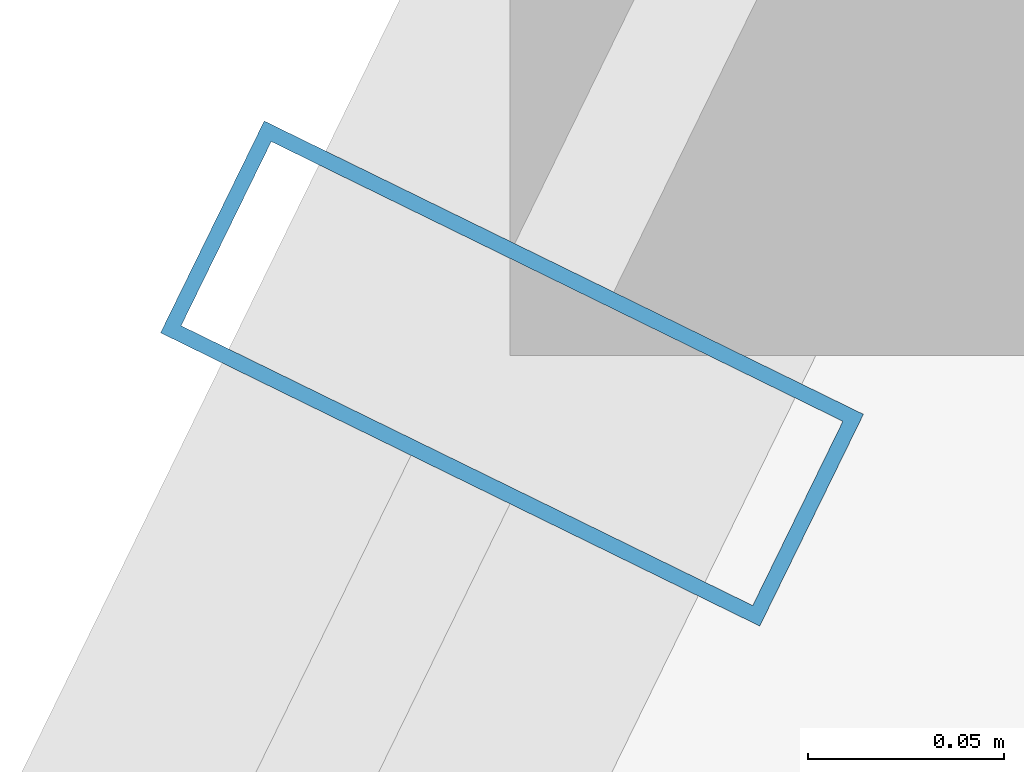
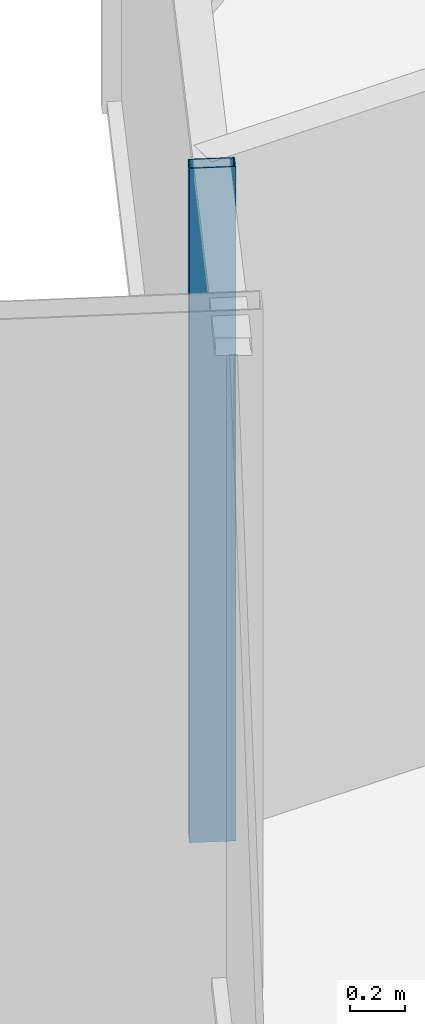
# One storey, part 21 of 37: 1 member, 1 element without a shape of its own.
"""IFC4 building model written with IfcOpenShell, lengths in metres."""

import ifcopenshell
import ifcopenshell.guid

model = None  # the IFC model being written
_history = None  # IfcOwnerHistory: only IFC2X3 demands one
_inside = {}  # id of a spatial element -> (the spatial element, [elements in it])
_under = {}  # id of a project, library or spatial element -> (it, [spatial elements below it])
_declared = {}  # id of a project -> (the project, [libraries it declares])
_typed = {}  # id of a type object -> (the type object, [elements of that type])
_made_of = {}  # id of a material, layer set ... -> (it, [elements and type objects made of it])


def new_model(schema):
    """Start an empty IFC model of exactly this schema.

    Asked for "IFC4X3", IfcOpenShell would pick the latest addendum, in which some entities
    have other attributes; the version numbers below select the first issue.
    IFC2X3 requires an IfcOwnerHistory on every rooted entity: one is made here for all.
    """
    global model, _history
    if schema == "IFC4X3":
        model = ifcopenshell.file(schema_version=(4, 3, 0, 0))
    else:
        model = ifcopenshell.file(schema=schema)
    _inside.clear()
    _under.clear()
    _declared.clear()
    _typed.clear()
    _made_of.clear()
    _history = None
    if model.schema == "IFC2X3":
        org = make("IfcOrganization", Name="unknown")
        user = make(
            "IfcPersonAndOrganization",
            ThePerson=make("IfcPerson", FamilyName="unknown"),
            TheOrganization=org,
        )
        app = make(
            "IfcApplication",
            ApplicationDeveloper=org,
            Version="unknown",
            ApplicationFullName="unknown",
            ApplicationIdentifier="unknown",
        )
        _history = make(
            "IfcOwnerHistory",
            OwningUser=user,
            OwningApplication=app,
            ChangeAction="ADDED",
            CreationDate=0,
        )
    return model


def make(cls, **values):
    """One entity of the class cls with the attributes given. An attribute that is None is left unset."""
    return model.create_entity(
        cls, **{name: value for name, value in values.items() if value is not None}
    )


def rooted(cls, **values):
    """An entity with a GlobalId (a new one), such as an element, a storey or a relation."""
    return make(cls, GlobalId=ifcopenshell.guid.new(), OwnerHistory=_history, **values)


def si_unit(unit_type, name, prefix=None):
    """IfcSIUnit, for example si_unit("LENGTHUNIT", "METRE", prefix="MILLI")."""
    return make("IfcSIUnit", UnitType=unit_type, Prefix=prefix, Name=name)


def assignment(units):
    """IfcUnitAssignment: the units of a project."""
    return None if units is None else make("IfcUnitAssignment", Units=units)


def point(xyz):
    """IfcCartesianPoint."""
    return None if xyz is None else make("IfcCartesianPoint", Coordinates=xyz)


def direction(xyz):
    """IfcDirection."""
    return None if xyz is None else make("IfcDirection", DirectionRatios=xyz)


def frame(location, z_axis=None, x_axis=None):
    """IfcAxis2Placement3D, a coordinate frame: its origin and axes. An axis left out is left unset."""
    return make(
        "IfcAxis2Placement3D",
        Location=point(location),
        Axis=direction(z_axis),
        RefDirection=direction(x_axis),
    )


def frame_2d(location, x_axis=None):
    """IfcAxis2Placement2D, a coordinate frame in the plane: its origin and x axis."""
    return make(
        "IfcAxis2Placement2D", Location=point(location), RefDirection=direction(x_axis)
    )


def origin():
    """The frame at (0, 0, 0) with its axes left unset."""
    return frame((0.0, 0.0, 0.0))


def origin_2d():
    """The frame at (0, 0) in the plane with its x axis left unset."""
    return frame_2d((0.0, 0.0))


def place(relative_to, where):
    """IfcLocalPlacement: puts the frame where relative to a parent placement (None: the world)."""
    return make(
        "IfcLocalPlacement", PlacementRelTo=relative_to, RelativePlacement=where
    )


def context(
    kind, dimensions, precision=None, world=None, true_north=None, identifier=None
):
    """IfcGeometricRepresentationContext, for example the 3D "Model" context."""
    return make(
        "IfcGeometricRepresentationContext",
        ContextIdentifier=identifier,
        ContextType=kind,
        CoordinateSpaceDimension=dimensions,
        Precision=precision,
        WorldCoordinateSystem=world,
        TrueNorth=true_north,
    )


def subcontext(parent, identifier, kind, view, scale=None):
    """IfcGeometricRepresentationSubContext, for example "Body" below "Model"."""
    return make(
        "IfcGeometricRepresentationSubContext",
        ContextIdentifier=identifier,
        ContextType=kind,
        ParentContext=parent,
        TargetScale=scale,
        TargetView=view,
    )


def project(units=None, contexts=None):
    """IfcProject with its units and contexts."""
    return rooted(
        "IfcProject",
        Name="project",
        RepresentationContexts=contexts,
        UnitsInContext=assignment(units),
    )


def spatial(cls, under=None, at=None, **own):
    """A site, building, storey or space (cls), placed at a placement, below another one or the project."""
    s = rooted(cls, ObjectPlacement=at, **own)
    if under is not None:
        _under.setdefault(under.id(), (under, []))[1].append(s)
    return s


def profile(cls, at=None, kind="AREA", **sizes):
    """A parametric profile (cls). Its sizes go by their IFC names, for example OverallWidth=200.0."""
    return make(cls, ProfileType=kind, Position=at, **sizes)


def hollow_rectangle(**sizes):
    """IfcRectangleHollowProfileDef."""
    return profile("IfcRectangleHollowProfileDef", **sizes)


def extrude(swept, where, along, depth):
    """IfcExtrudedAreaSolid: the profile swept, set in the frame where, extruded along a direction by depth."""
    return make(
        "IfcExtrudedAreaSolid",
        SweptArea=swept,
        Position=where,
        ExtrudedDirection=direction(along),
        Depth=depth,
    )


def shape(context_of_items, identifier, shape_type, items):
    """IfcShapeRepresentation: the items that make up one representation, for example the "Body"."""
    return make(
        "IfcShapeRepresentation",
        ContextOfItems=context_of_items,
        RepresentationIdentifier=identifier,
        RepresentationType=shape_type,
        Items=items,
    )


def source(mapping_origin, context_of_items, identifier, shape_type, items):
    """IfcRepresentationMap: a shape defined once, which mapped items show again and again."""
    return make(
        "IfcRepresentationMap",
        MappingOrigin=mapping_origin,
        MappedRepresentation=shape(context_of_items, identifier, shape_type, items),
    )


def transform(
    local_origin,
    x_axis=None,
    y_axis=None,
    z_axis=None,
    scale=None,
    scale2=None,
    scale3=None,
    uniform=True,
):
    """IfcCartesianTransformationOperator3D, or its non-uniform kind. x_axis, y_axis, z_axis: its Axis1, 2, 3."""
    if uniform:
        return make(
            "IfcCartesianTransformationOperator3D",
            Axis1=direction(x_axis),
            Axis2=direction(y_axis),
            LocalOrigin=point(local_origin),
            Scale=scale,
            Axis3=direction(z_axis),
        )
    return make(
        "IfcCartesianTransformationOperator3DnonUniform",
        Axis1=direction(x_axis),
        Axis2=direction(y_axis),
        LocalOrigin=point(local_origin),
        Scale=scale,
        Axis3=direction(z_axis),
        Scale2=scale2,
        Scale3=scale3,
    )


def mapped(mapping_source, mapping_target):
    """IfcMappedItem: shows the shape of a source again, moved by a transform."""
    return make(
        "IfcMappedItem", MappingSource=mapping_source, MappingTarget=mapping_target
    )


def material(Name=None, Category=None):
    """IfcMaterial."""
    return make("IfcMaterial", Name=Name, Category=Category)


def layer(
    of_material, thickness, ventilated=None, Name=None, Category=None, Priority=None
):
    """IfcMaterialLayer: one layer of a wall or slab, of a material (None: an air gap)."""
    return make(
        "IfcMaterialLayer",
        Material=of_material,
        LayerThickness=thickness,
        IsVentilated=ventilated,
        Name=Name,
        Category=Category,
        Priority=Priority,
    )


def layer_set(layers, Name=None):
    """IfcMaterialLayerSet."""
    return make("IfcMaterialLayerSet", MaterialLayers=layers, LayerSetName=Name)


def material_profile(
    of_material, cross_section, Name=None, Category=None, Priority=None
):
    """IfcMaterialProfile: a cross section and its material."""
    return make(
        "IfcMaterialProfile",
        Name=Name,
        Material=of_material,
        Profile=cross_section,
        Priority=Priority,
        Category=Category,
    )


def profile_set(profiles, Name=None, composite=None):
    """IfcMaterialProfileSet."""
    return make(
        "IfcMaterialProfileSet",
        Name=Name,
        MaterialProfiles=profiles,
        CompositeProfile=composite,
    )


def made_of(thing, what):
    """Note that an element or type object is made of a material, layer set ...; save() writes the relation."""
    if what is not None:
        _made_of.setdefault(what.id(), (what, []))[1].append(thing)
    return thing


def type_object(cls, material=None, **own):
    """A type object (cls), such as IfcWallType, which elements share."""
    return made_of(rooted(cls, **own), material)


def element(
    cls,
    number,
    at=None,
    inside=None,
    cuts=None,
    type_object=None,
    material=None,
    context=None,
    identifier="Body",
    shape_type=None,
    held_by="IfcProductDefinitionShape",
    body=None,
    shapes=None,
    **own,
):
    """One element of the class cls, such as IfcWall. Its Tag is "e" and its number.

    at: its placement. inside: the storey or other place that contains it. cuts: it is an
    opening in that element (IfcRelVoidsElement). A single representation is given by context,
    identifier, shape_type and body (its items); several are given by shapes. held_by: the class
    of the entity that holds the representations. save() writes the other relations.
    """
    e = rooted(cls, Tag="e%d" % number, ObjectPlacement=at, **own)
    if body is not None:
        shapes = [shape(context, identifier, shape_type, body)]
    if shapes is not None:
        e.Representation = make(held_by, Representations=shapes)
    if inside is not None:
        _inside.setdefault(inside.id(), (inside, []))[1].append(e)
    if cuts is not None:
        rooted(
            "IfcRelVoidsElement", RelatingBuildingElement=cuts, RelatedOpeningElement=e
        )
    if type_object is not None:
        _typed.setdefault(type_object.id(), (type_object, []))[1].append(e)
    return made_of(e, material)


def aggregate(whole, parts):
    """IfcRelAggregates: a whole, such as a stair, and the parts it consists of."""
    return rooted("IfcRelAggregates", RelatingObject=whole, RelatedObjects=parts)


def save(model, path):
    """Write the relations noted so far, then the file.

    IfcRelAggregates (storeys below a building ...), IfcRelContainedInSpatialStructure (elements
    in a storey), IfcRelDefinesByType, IfcRelAssociatesMaterial and IfcRelDeclares: one each for
    every whole, place, type object, material and project.
    """
    for whole, parts in _under.values():
        aggregate(whole, parts)
    for where, things in _inside.values():
        rooted(
            "IfcRelContainedInSpatialStructure",
            RelatedElements=things,
            RelatingStructure=where,
        )
    for kind, things in _typed.values():
        rooted("IfcRelDefinesByType", RelatedObjects=things, RelatingType=kind)
    for what, things in _made_of.values():
        rooted("IfcRelAssociatesMaterial", RelatedObjects=things, RelatingMaterial=what)
    for by, libraries in _declared.values():
        rooted("IfcRelDeclares", RelatingContext=by, RelatedDefinitions=libraries)
    model.write(path)


model = new_model("IFC4")

# Units and contexts
model_context = context("Model", 3, precision=1e-05, world=origin(), true_north=direction((0.0, 1.0)))
body_context = subcontext(model_context, "Body", "Model", "MODEL_VIEW")
ifc_project = project(units=[si_unit("LENGTHUNIT", "METRE"), si_unit("AREAUNIT", "SQUARE_METRE"), si_unit("VOLUMEUNIT", "CUBIC_METRE"), si_unit("PLANEANGLEUNIT", "RADIAN"), si_unit("MASSUNIT", "GRAM", prefix="KILO")], contexts=[model_context])

# Site, building, storey
site_placement = place(None, origin())
site = spatial("IfcSite", under=ifc_project, at=site_placement, CompositionType="ELEMENT")
building_placement = place(site_placement, origin())
building = spatial("IfcBuilding", under=site, at=building_placement, Name="Veraguas Prism Commons", CompositionType="ELEMENT")
storey_placement = place(building_placement, frame((0.0, 0.0, 37.050048828125)))
storey = spatial("IfcBuildingStorey", under=building, at=storey_placement, Name="L09", CompositionType="ELEMENT", Elevation=37.050048828125)

# Curtain wall, member
ifc_material = material(Name="Anodised aluminium EN AW-6063 T6", Category="aluminium")
ifc_layer = layer(ifc_material, 0.169921875, Name="Unitised Flush Curtain Wall Zone 1", Category="aluminium")
ifc_layer_set = layer_set([ifc_layer], Name="Anodised aluminium EN AW-6063 T6")
curtain_wall_type = type_object("IfcCurtainWallType", Name="Unitised Flush Curtain Wall Zone 1", PredefinedType="NOTDEFINED", material=ifc_layer_set)
curtain_wall_placement = place(storey_placement, origin())
curtain_wall = element("IfcCurtainWall", 1, at=curtain_wall_placement, inside=storey, type_object=curtain_wall_type, Name="Tower Facade Curtain Wall L09-F3", PredefinedType="NOTDEFINED")
ifc_material_profile = material_profile(ifc_material, hollow_rectangle(XDim=0.06005859375, YDim=0.169921875, WallThickness=0.00390625, at=origin_2d()), Name="AL60X170X4")
ifc_profile_set = profile_set([ifc_material_profile], Name="Anodised aluminium EN AW-6063 T6")
member_type = type_object("IfcMemberType", Name="Curtain Wall Mullion Lower AL 60x170x4", PredefinedType="MULLION", material=ifc_profile_set)
shared_shape = source(origin(), body_context, "Body", "SweptSolid", [
    extrude(hollow_rectangle(XDim=0.06005859375, YDim=0.169921875, WallThickness=0.00390625, at=origin_2d()), origin(), (0.0, 0.0, 1.0), 3.0),
])
member_placement = place(storey_placement, frame((7.385009765625, 37.332763671875, 0.0), z_axis=(0.0, 0.0, 1.0), x_axis=(-0.4396256723, -0.898181088787, 0.0)))
member = element("IfcMember", 2, at=member_placement, type_object=member_type, Name="CW-Z1 Mullion 2", PredefinedType="MULLION", context=body_context, shape_type="MappedRepresentation", body=[
    mapped(shared_shape, transform((0.0, 0.0, 0.0), scale=1.0)),
])
aggregate(curtain_wall, [member])

save(model, "model.ifc")
